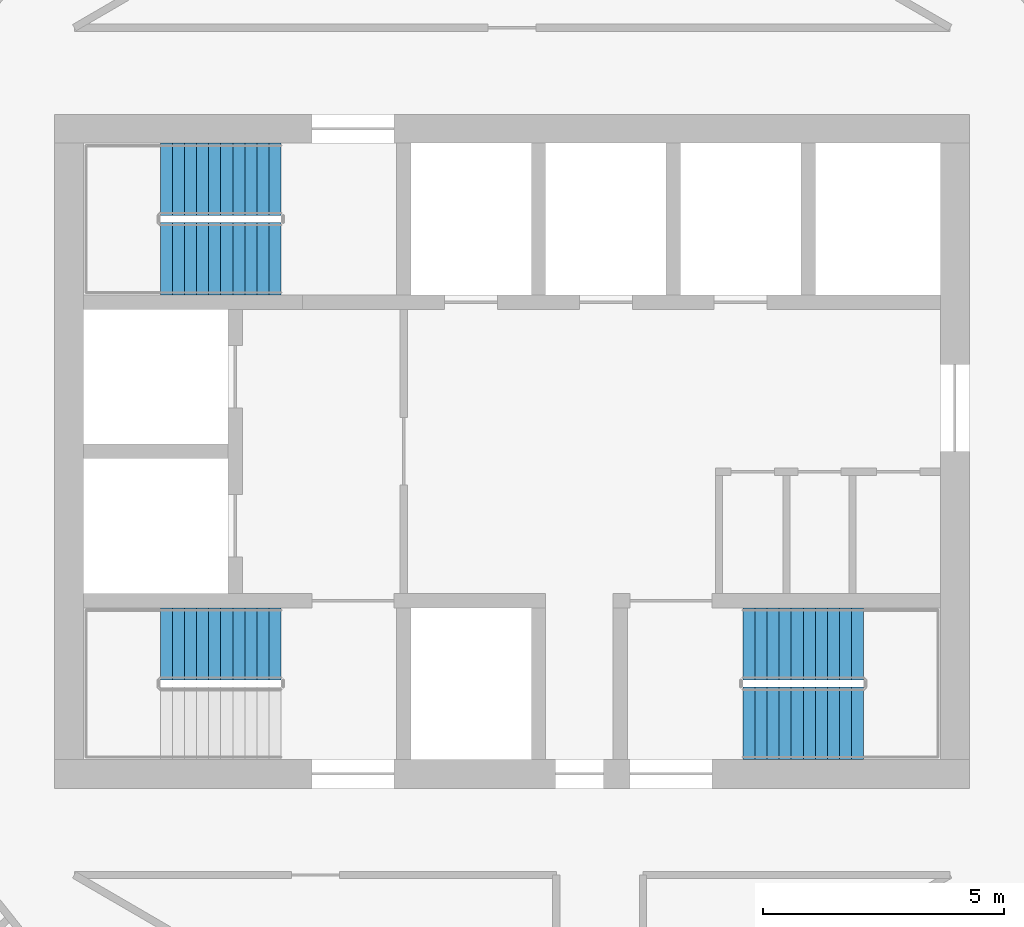
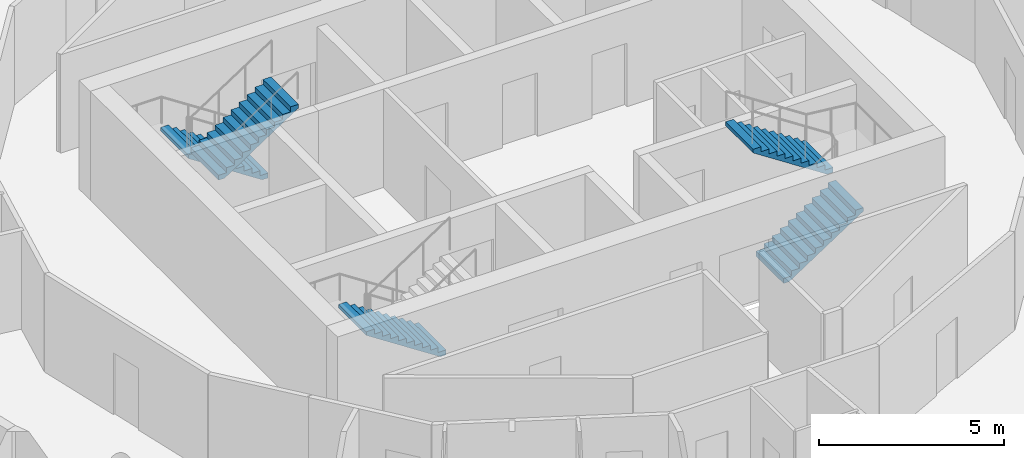
# One storey, part 12 of 13: 5 stair flights, 3 elements without a shape of their own.
"""IFC4 building model written with IfcOpenShell, lengths in metres."""

from ifc_helpers import new_model, si_unit, direction, frame, origin, place, context, subcontext, project, spatial, polyline, outline, extrude, material, type_object, element, aggregate, save


model = new_model("IFC4")

# Units and contexts
model_context = context("Model", 3, precision=1e-05, world=origin(), true_north=direction((0.0, 1.0)))
body_context = subcontext(model_context, "Body", "Model", "MODEL_VIEW")
ifc_project = project(units=[si_unit("LENGTHUNIT", "METRE"), si_unit("AREAUNIT", "SQUARE_METRE"), si_unit("VOLUMEUNIT", "CUBIC_METRE"), si_unit("PLANEANGLEUNIT", "RADIAN"), si_unit("MASSUNIT", "GRAM", prefix="KILO")], contexts=[model_context])

# Site, building, storey
site_placement = place(None, origin())
site = spatial("IfcSite", under=ifc_project, at=site_placement, CompositionType="ELEMENT")
building_placement = place(site_placement, origin())
building = spatial("IfcBuilding", under=site, at=building_placement, Name="Tracery Tower", CompositionType="ELEMENT")
storey_placement = place(building_placement, frame((0.0, 0.0, 298.199951171875)))
storey = spatial("IfcBuildingStorey", under=building, at=storey_placement, Name="L77", CompositionType="ELEMENT", Elevation=298.199951171875)

# Stair, stair flight
ifc_material_1 = material(Name="Concrete C32/40", Category="concrete")
stair_type = type_object("IfcStairType", Name="Core stair 22 risers", PredefinedType="HALF_TURN_STAIR", material=ifc_material_1)
stair_1_placement = place(storey_placement, origin())
stair_1 = element("IfcStair", 1, at=stair_1_placement, inside=storey, type_object=stair_type, Name="L77 stair ST1", PredefinedType="HALF_TURN_STAIR")
ifc_material_2 = material(Name="Concrete C32/40", Category="concrete")
stair_flight_type = type_object("IfcStairFlightType", Name="Core stair flight 11 risers", PredefinedType="STRAIGHT", material=ifc_material_2)
stair_flight_1_placement = place(storey_placement, frame((-4.800048828125, -4.0, 0.0), z_axis=(0.0, 0.0, 1.0), x_axis=(-1.0, 0.0, 0.0)))
stair_flight_1 = element("IfcStairFlight", 2, at=stair_flight_1_placement, type_object=stair_flight_type, Name="ST1 flight 1", NumberOfRisers=11, NumberOfTreads=10, PredefinedType="STRAIGHT", RiserHeight=0.163636364, TreadLength=0.25, context=body_context, shape_type="SweptSolid", body=[
    extrude(outline(polyline([(0.0, 0.0), (0.0, 0.002685546875), (0.0, 0.00537109375), (0.0, 0.008056640625), (0.0, 0.0107421875), (0.0, 0.013427734375), (0.0, 0.01611328125), (0.0, 0.018798828125), (0.0, 0.021484375), (0.0, 0.024169921875), (0.0, 0.02685546875), (0.0, 0.029541015625), (0.0, 0.0322265625), (0.0, 0.034912109375), (0.0, 0.03759765625), (0.0, 0.040283203125), (0.0, 0.04296875), (0.0, 0.045654296875), (0.0, 0.04833984375), (0.0, 0.051025390625), (0.0, 0.0537109375), (0.0, 0.056396484375), (0.0, 0.05908203125), (0.0, 0.061767578125), (0.0, 0.064453125), (0.0, 0.067138671875), (0.0, 0.06982421875), (0.0, 0.072509765625), (0.0, 0.0751953125), (0.0, 0.077880859375), (0.0, 0.08056640625), (0.0, 0.083251953125), (0.0, 0.0859375), (0.0, 0.088623046875), (0.0, 0.09130859375), (0.0, 0.093994140625), (0.0, 0.0966796875), (0.0, 0.099365234375), (0.0, 0.10205078125), (0.0, 0.104736328125), (0.0, 0.107421875), (0.0, 0.10986328125), (0.0, 0.112548828125), (0.0, 0.115234375), (0.0, 0.117919921875), (0.0, 0.12060546875), (0.0, 0.123291015625), (0.0, 0.1259765625), (0.0, 0.128662109375), (0.0, 0.13134765625), (0.0, 0.134033203125), (0.0, 0.13671875), (0.0, 0.139404296875), (0.0, 0.14208984375), (0.0, 0.144775390625), (0.0, 0.1474609375), (0.0, 0.150146484375), (0.0, 0.15283203125), (0.0, 0.155517578125), (0.0, 0.158203125), (0.0, 0.160888671875), (0.0, 0.16357421875), (0.25, 0.16357421875), (0.25, 0.327392578125), (0.5, 0.327392578125), (0.5, 0.490966796875), (0.75, 0.490966796875), (0.75, 0.654541015625), (1.0, 0.654541015625), (1.0, 0.818115234375), (1.25, 0.818115234375), (1.25, 0.98193359375), (1.5, 0.98193359375), (1.5, 1.1455078125), (1.75, 1.1455078125), (1.75, 1.30908203125), (2.0, 1.30908203125), (2.0, 1.47265625), (2.25, 1.47265625), (2.25, 1.636474609375), (2.5, 1.636474609375), (2.5, 1.634521484375), (2.5, 1.63232421875), (2.5, 1.63037109375), (2.5, 1.62841796875), (2.5, 1.62646484375), (2.5, 1.62451171875), (2.5, 1.62255859375), (2.5, 1.62060546875), (2.5, 1.61865234375), (2.5, 1.61669921875), (2.5, 1.61474609375), (2.5, 1.61279296875), (2.5, 1.61083984375), (2.5, 1.60888671875), (2.5, 1.60693359375), (2.5, 1.60498046875), (2.5, 1.60302734375), (2.5, 1.60107421875), (2.5, 1.59912109375), (2.5, 1.59716796875), (2.5, 1.59521484375), (2.5, 1.59326171875), (2.5, 1.59130859375), (2.5, 1.58935546875), (2.5, 1.58740234375), (2.5, 1.58544921875), (2.5, 1.58349609375), (2.5, 1.58154296875), (2.5, 1.57958984375), (2.5, 1.57763671875), (2.5, 1.57568359375), (2.5, 1.573486328125), (2.5, 1.571533203125), (2.5, 1.569580078125), (2.5, 1.567626953125), (2.5, 1.565673828125), (2.5, 1.563720703125), (2.5, 1.561767578125), (2.5, 1.559814453125), (2.5, 1.557861328125), (2.5, 1.555908203125), (2.5, 1.553955078125), (2.5, 1.552001953125), (2.5, 1.550048828125), (2.5, 1.548095703125), (2.5, 1.546142578125), (2.5, 1.544189453125), (2.5, 1.542236328125), (2.5, 1.540283203125), (2.5, 1.538330078125), (2.5, 1.536376953125), (2.5, 1.534423828125), (2.5, 1.532470703125), (2.5, 1.530517578125), (2.5, 1.528564453125), (2.5, 1.526611328125), (2.5, 1.524658203125), (2.5, 1.522705078125), (2.5, 1.520751953125), (2.5, 1.518798828125), (2.5, 1.516845703125), (0.182861328125, 0.0), (0.0, 0.0)])), frame((0.0, 0.75, 0.0), z_axis=(0.0, -1.0, 0.0), x_axis=(1.0, 0.0, 0.0)), (0.0, 0.0, 1.0), 1.5),
])
aggregate(stair_1, [stair_flight_1])

# Stair, stair flights
stair_2_placement = place(storey_placement, origin())
stair_2 = element("IfcStair", 3, at=stair_2_placement, inside=storey, type_object=stair_type, Name="L77 stair ST3", PredefinedType="HALF_TURN_STAIR")
stair_flight_2_placement = place(storey_placement, frame((-4.800048828125, 5.64990234375, 0.0), z_axis=(0.0, 0.0, 1.0), x_axis=(-1.0, 0.0, 0.0)))
stair_flight_2 = element("IfcStairFlight", 4, at=stair_flight_2_placement, type_object=stair_flight_type, Name="ST3 flight 1", NumberOfRisers=11, NumberOfTreads=10, PredefinedType="STRAIGHT", RiserHeight=0.163636364, TreadLength=0.25, context=body_context, shape_type="SweptSolid", body=[
    extrude(outline(polyline([(0.0, 0.0), (0.0, 0.002685546875), (0.0, 0.00537109375), (0.0, 0.008056640625), (0.0, 0.0107421875), (0.0, 0.013427734375), (0.0, 0.01611328125), (0.0, 0.018798828125), (0.0, 0.021484375), (0.0, 0.024169921875), (0.0, 0.02685546875), (0.0, 0.029541015625), (0.0, 0.0322265625), (0.0, 0.034912109375), (0.0, 0.03759765625), (0.0, 0.040283203125), (0.0, 0.04296875), (0.0, 0.045654296875), (0.0, 0.04833984375), (0.0, 0.051025390625), (0.0, 0.0537109375), (0.0, 0.056396484375), (0.0, 0.05908203125), (0.0, 0.061767578125), (0.0, 0.064453125), (0.0, 0.067138671875), (0.0, 0.06982421875), (0.0, 0.072509765625), (0.0, 0.0751953125), (0.0, 0.077880859375), (0.0, 0.08056640625), (0.0, 0.083251953125), (0.0, 0.0859375), (0.0, 0.088623046875), (0.0, 0.09130859375), (0.0, 0.093994140625), (0.0, 0.0966796875), (0.0, 0.099365234375), (0.0, 0.10205078125), (0.0, 0.104736328125), (0.0, 0.107421875), (0.0, 0.10986328125), (0.0, 0.112548828125), (0.0, 0.115234375), (0.0, 0.117919921875), (0.0, 0.12060546875), (0.0, 0.123291015625), (0.0, 0.1259765625), (0.0, 0.128662109375), (0.0, 0.13134765625), (0.0, 0.134033203125), (0.0, 0.13671875), (0.0, 0.139404296875), (0.0, 0.14208984375), (0.0, 0.144775390625), (0.0, 0.1474609375), (0.0, 0.150146484375), (0.0, 0.15283203125), (0.0, 0.155517578125), (0.0, 0.158203125), (0.0, 0.160888671875), (0.0, 0.16357421875), (0.25, 0.16357421875), (0.25, 0.327392578125), (0.5, 0.327392578125), (0.5, 0.490966796875), (0.75, 0.490966796875), (0.75, 0.654541015625), (1.0, 0.654541015625), (1.0, 0.818115234375), (1.25, 0.818115234375), (1.25, 0.98193359375), (1.5, 0.98193359375), (1.5, 1.1455078125), (1.75, 1.1455078125), (1.75, 1.30908203125), (2.0, 1.30908203125), (2.0, 1.47265625), (2.25, 1.47265625), (2.25, 1.636474609375), (2.5, 1.636474609375), (2.5, 1.634521484375), (2.5, 1.63232421875), (2.5, 1.63037109375), (2.5, 1.62841796875), (2.5, 1.62646484375), (2.5, 1.62451171875), (2.5, 1.62255859375), (2.5, 1.62060546875), (2.5, 1.61865234375), (2.5, 1.61669921875), (2.5, 1.61474609375), (2.5, 1.61279296875), (2.5, 1.61083984375), (2.5, 1.60888671875), (2.5, 1.60693359375), (2.5, 1.60498046875), (2.5, 1.60302734375), (2.5, 1.60107421875), (2.5, 1.59912109375), (2.5, 1.59716796875), (2.5, 1.59521484375), (2.5, 1.59326171875), (2.5, 1.59130859375), (2.5, 1.58935546875), (2.5, 1.58740234375), (2.5, 1.58544921875), (2.5, 1.58349609375), (2.5, 1.58154296875), (2.5, 1.57958984375), (2.5, 1.57763671875), (2.5, 1.57568359375), (2.5, 1.573486328125), (2.5, 1.571533203125), (2.5, 1.569580078125), (2.5, 1.567626953125), (2.5, 1.565673828125), (2.5, 1.563720703125), (2.5, 1.561767578125), (2.5, 1.559814453125), (2.5, 1.557861328125), (2.5, 1.555908203125), (2.5, 1.553955078125), (2.5, 1.552001953125), (2.5, 1.550048828125), (2.5, 1.548095703125), (2.5, 1.546142578125), (2.5, 1.544189453125), (2.5, 1.542236328125), (2.5, 1.540283203125), (2.5, 1.538330078125), (2.5, 1.536376953125), (2.5, 1.534423828125), (2.5, 1.532470703125), (2.5, 1.530517578125), (2.5, 1.528564453125), (2.5, 1.526611328125), (2.5, 1.524658203125), (2.5, 1.522705078125), (2.5, 1.520751953125), (2.5, 1.518798828125), (2.5, 1.516845703125), (0.182861328125, 0.0), (0.0, 0.0)])), frame((0.0, 0.75, 0.0), z_axis=(0.0, -1.0, 0.0), x_axis=(1.0, 0.0, 0.0)), (0.0, 0.0, 1.0), 1.5),
])
stair_flight_3_placement = place(storey_placement, frame((-7.300048828125, 4.0, 1.800048828125), z_axis=(0.0, 0.0, 1.0), x_axis=(1.0, 0.0, 0.0)))
stair_flight_3 = element("IfcStairFlight", 5, at=stair_flight_3_placement, type_object=stair_flight_type, Name="ST3 flight 2", NumberOfRisers=11, NumberOfTreads=10, PredefinedType="STRAIGHT", RiserHeight=0.163636364, TreadLength=0.25, context=body_context, shape_type="SweptSolid", body=[
    extrude(outline(polyline([(0.0, 0.0), (0.0, 0.002685546875), (0.0, 0.00537109375), (0.0, 0.008056640625), (0.0, 0.0107421875), (0.0, 0.013427734375), (0.0, 0.01611328125), (0.0, 0.018798828125), (0.0, 0.021484375), (0.0, 0.024169921875), (0.0, 0.02685546875), (0.0, 0.029541015625), (0.0, 0.0322265625), (0.0, 0.034912109375), (0.0, 0.03759765625), (0.0, 0.040283203125), (0.0, 0.04296875), (0.0, 0.045654296875), (0.0, 0.04833984375), (0.0, 0.051025390625), (0.0, 0.0537109375), (0.0, 0.056396484375), (0.0, 0.05908203125), (0.0, 0.061767578125), (0.0, 0.064453125), (0.0, 0.067138671875), (0.0, 0.06982421875), (0.0, 0.072509765625), (0.0, 0.0751953125), (0.0, 0.077880859375), (0.0, 0.08056640625), (0.0, 0.083251953125), (0.0, 0.0859375), (0.0, 0.088623046875), (0.0, 0.09130859375), (0.0, 0.093994140625), (0.0, 0.0966796875), (0.0, 0.099365234375), (0.0, 0.10205078125), (0.0, 0.104736328125), (0.0, 0.107421875), (0.0, 0.10986328125), (0.0, 0.112548828125), (0.0, 0.115234375), (0.0, 0.117919921875), (0.0, 0.12060546875), (0.0, 0.123291015625), (0.0, 0.1259765625), (0.0, 0.128662109375), (0.0, 0.13134765625), (0.0, 0.134033203125), (0.0, 0.13671875), (0.0, 0.139404296875), (0.0, 0.14208984375), (0.0, 0.144775390625), (0.0, 0.1474609375), (0.0, 0.150146484375), (0.0, 0.15283203125), (0.0, 0.155517578125), (0.0, 0.158203125), (0.0, 0.160888671875), (0.0, 0.16357421875), (0.25, 0.16357421875), (0.25, 0.327392578125), (0.5, 0.327392578125), (0.5, 0.490966796875), (0.75, 0.490966796875), (0.75, 0.654541015625), (1.0, 0.654541015625), (1.0, 0.818115234375), (1.25, 0.818115234375), (1.25, 0.98193359375), (1.5, 0.98193359375), (1.5, 1.1455078125), (1.75, 1.1455078125), (1.75, 1.30908203125), (2.0, 1.30908203125), (2.0, 1.47265625), (2.25, 1.47265625), (2.25, 1.636474609375), (2.5, 1.636474609375), (2.5, 1.634521484375), (2.5, 1.63232421875), (2.5, 1.63037109375), (2.5, 1.62841796875), (2.5, 1.62646484375), (2.5, 1.62451171875), (2.5, 1.62255859375), (2.5, 1.62060546875), (2.5, 1.61865234375), (2.5, 1.61669921875), (2.5, 1.61474609375), (2.5, 1.61279296875), (2.5, 1.61083984375), (2.5, 1.60888671875), (2.5, 1.60693359375), (2.5, 1.60498046875), (2.5, 1.60302734375), (2.5, 1.60107421875), (2.5, 1.59912109375), (2.5, 1.59716796875), (2.5, 1.59521484375), (2.5, 1.59326171875), (2.5, 1.59130859375), (2.5, 1.58935546875), (2.5, 1.58740234375), (2.5, 1.58544921875), (2.5, 1.58349609375), (2.5, 1.58154296875), (2.5, 1.57958984375), (2.5, 1.57763671875), (2.5, 1.57568359375), (2.5, 1.573486328125), (2.5, 1.571533203125), (2.5, 1.569580078125), (2.5, 1.567626953125), (2.5, 1.565673828125), (2.5, 1.563720703125), (2.5, 1.561767578125), (2.5, 1.559814453125), (2.5, 1.557861328125), (2.5, 1.555908203125), (2.5, 1.553955078125), (2.5, 1.552001953125), (2.5, 1.550048828125), (2.5, 1.548095703125), (2.5, 1.546142578125), (2.5, 1.544189453125), (2.5, 1.542236328125), (2.5, 1.540283203125), (2.5, 1.538330078125), (2.5, 1.536376953125), (2.5, 1.534423828125), (2.5, 1.532470703125), (2.5, 1.530517578125), (2.5, 1.528564453125), (2.5, 1.526611328125), (2.5, 1.524658203125), (2.5, 1.522705078125), (2.5, 1.520751953125), (2.5, 1.518798828125), (2.5, 1.516845703125), (0.182861328125, 0.0), (0.0, 0.0)])), frame((0.0, 0.75, 0.0), z_axis=(0.0, -1.0, 0.0), x_axis=(1.0, 0.0, 0.0)), (0.0, 0.0, 1.0), 1.5),
])
aggregate(stair_2, [stair_flight_2, stair_flight_3])

stair_3_placement = place(storey_placement, origin())
stair_3 = element("IfcStair", 6, at=stair_3_placement, inside=storey, type_object=stair_type, Name="L77 stair ST2", PredefinedType="HALF_TURN_STAIR")
stair_flight_4_placement = place(storey_placement, frame((4.800048828125, -5.64990234375, 0.0), z_axis=(0.0, 0.0, 1.0), x_axis=(1.0, 0.0, 0.0)))
stair_flight_4 = element("IfcStairFlight", 7, at=stair_flight_4_placement, type_object=stair_flight_type, Name="ST2 flight 1", NumberOfRisers=11, NumberOfTreads=10, PredefinedType="STRAIGHT", RiserHeight=0.163636364, TreadLength=0.25, context=body_context, shape_type="SweptSolid", body=[
    extrude(outline(polyline([(0.0, 0.0), (0.0, 0.002685546875), (0.0, 0.00537109375), (0.0, 0.008056640625), (0.0, 0.0107421875), (0.0, 0.013427734375), (0.0, 0.01611328125), (0.0, 0.018798828125), (0.0, 0.021484375), (0.0, 0.024169921875), (0.0, 0.02685546875), (0.0, 0.029541015625), (0.0, 0.0322265625), (0.0, 0.034912109375), (0.0, 0.03759765625), (0.0, 0.040283203125), (0.0, 0.04296875), (0.0, 0.045654296875), (0.0, 0.04833984375), (0.0, 0.051025390625), (0.0, 0.0537109375), (0.0, 0.056396484375), (0.0, 0.05908203125), (0.0, 0.061767578125), (0.0, 0.064453125), (0.0, 0.067138671875), (0.0, 0.06982421875), (0.0, 0.072509765625), (0.0, 0.0751953125), (0.0, 0.077880859375), (0.0, 0.08056640625), (0.0, 0.083251953125), (0.0, 0.0859375), (0.0, 0.088623046875), (0.0, 0.09130859375), (0.0, 0.093994140625), (0.0, 0.0966796875), (0.0, 0.099365234375), (0.0, 0.10205078125), (0.0, 0.104736328125), (0.0, 0.107421875), (0.0, 0.10986328125), (0.0, 0.112548828125), (0.0, 0.115234375), (0.0, 0.117919921875), (0.0, 0.12060546875), (0.0, 0.123291015625), (0.0, 0.1259765625), (0.0, 0.128662109375), (0.0, 0.13134765625), (0.0, 0.134033203125), (0.0, 0.13671875), (0.0, 0.139404296875), (0.0, 0.14208984375), (0.0, 0.144775390625), (0.0, 0.1474609375), (0.0, 0.150146484375), (0.0, 0.15283203125), (0.0, 0.155517578125), (0.0, 0.158203125), (0.0, 0.160888671875), (0.0, 0.16357421875), (0.25, 0.16357421875), (0.25, 0.327392578125), (0.5, 0.327392578125), (0.5, 0.490966796875), (0.75, 0.490966796875), (0.75, 0.654541015625), (1.0, 0.654541015625), (1.0, 0.818115234375), (1.25, 0.818115234375), (1.25, 0.98193359375), (1.5, 0.98193359375), (1.5, 1.1455078125), (1.75, 1.1455078125), (1.75, 1.30908203125), (2.0, 1.30908203125), (2.0, 1.47265625), (2.25, 1.47265625), (2.25, 1.636474609375), (2.5, 1.636474609375), (2.5, 1.634521484375), (2.5, 1.63232421875), (2.5, 1.63037109375), (2.5, 1.62841796875), (2.5, 1.62646484375), (2.5, 1.62451171875), (2.5, 1.62255859375), (2.5, 1.62060546875), (2.5, 1.61865234375), (2.5, 1.61669921875), (2.5, 1.61474609375), (2.5, 1.61279296875), (2.5, 1.61083984375), (2.5, 1.60888671875), (2.5, 1.60693359375), (2.5, 1.60498046875), (2.5, 1.60302734375), (2.5, 1.60107421875), (2.5, 1.59912109375), (2.5, 1.59716796875), (2.5, 1.59521484375), (2.5, 1.59326171875), (2.5, 1.59130859375), (2.5, 1.58935546875), (2.5, 1.58740234375), (2.5, 1.58544921875), (2.5, 1.58349609375), (2.5, 1.58154296875), (2.5, 1.57958984375), (2.5, 1.57763671875), (2.5, 1.57568359375), (2.5, 1.573486328125), (2.5, 1.571533203125), (2.5, 1.569580078125), (2.5, 1.567626953125), (2.5, 1.565673828125), (2.5, 1.563720703125), (2.5, 1.561767578125), (2.5, 1.559814453125), (2.5, 1.557861328125), (2.5, 1.555908203125), (2.5, 1.553955078125), (2.5, 1.552001953125), (2.5, 1.550048828125), (2.5, 1.548095703125), (2.5, 1.546142578125), (2.5, 1.544189453125), (2.5, 1.542236328125), (2.5, 1.540283203125), (2.5, 1.538330078125), (2.5, 1.536376953125), (2.5, 1.534423828125), (2.5, 1.532470703125), (2.5, 1.530517578125), (2.5, 1.528564453125), (2.5, 1.526611328125), (2.5, 1.524658203125), (2.5, 1.522705078125), (2.5, 1.520751953125), (2.5, 1.518798828125), (2.5, 1.516845703125), (0.182861328125, 0.0), (0.0, 0.0)])), frame((0.0, 0.75, 0.0), z_axis=(0.0, -1.0, 0.0), x_axis=(1.0, 0.0, 0.0)), (0.0, 0.0, 1.0), 1.5),
])
stair_flight_5_placement = place(storey_placement, frame((7.300048828125, -4.0, 1.800048828125), z_axis=(0.0, 0.0, 1.0), x_axis=(-1.0, 0.0, 0.0)))
stair_flight_5 = element("IfcStairFlight", 8, at=stair_flight_5_placement, type_object=stair_flight_type, Name="ST2 flight 2", NumberOfRisers=11, NumberOfTreads=10, PredefinedType="STRAIGHT", RiserHeight=0.163636364, TreadLength=0.25, context=body_context, shape_type="SweptSolid", body=[
    extrude(outline(polyline([(0.0, 0.0), (0.0, 0.002685546875), (0.0, 0.00537109375), (0.0, 0.008056640625), (0.0, 0.0107421875), (0.0, 0.013427734375), (0.0, 0.01611328125), (0.0, 0.018798828125), (0.0, 0.021484375), (0.0, 0.024169921875), (0.0, 0.02685546875), (0.0, 0.029541015625), (0.0, 0.0322265625), (0.0, 0.034912109375), (0.0, 0.03759765625), (0.0, 0.040283203125), (0.0, 0.04296875), (0.0, 0.045654296875), (0.0, 0.04833984375), (0.0, 0.051025390625), (0.0, 0.0537109375), (0.0, 0.056396484375), (0.0, 0.05908203125), (0.0, 0.061767578125), (0.0, 0.064453125), (0.0, 0.067138671875), (0.0, 0.06982421875), (0.0, 0.072509765625), (0.0, 0.0751953125), (0.0, 0.077880859375), (0.0, 0.08056640625), (0.0, 0.083251953125), (0.0, 0.0859375), (0.0, 0.088623046875), (0.0, 0.09130859375), (0.0, 0.093994140625), (0.0, 0.0966796875), (0.0, 0.099365234375), (0.0, 0.10205078125), (0.0, 0.104736328125), (0.0, 0.107421875), (0.0, 0.10986328125), (0.0, 0.112548828125), (0.0, 0.115234375), (0.0, 0.117919921875), (0.0, 0.12060546875), (0.0, 0.123291015625), (0.0, 0.1259765625), (0.0, 0.128662109375), (0.0, 0.13134765625), (0.0, 0.134033203125), (0.0, 0.13671875), (0.0, 0.139404296875), (0.0, 0.14208984375), (0.0, 0.144775390625), (0.0, 0.1474609375), (0.0, 0.150146484375), (0.0, 0.15283203125), (0.0, 0.155517578125), (0.0, 0.158203125), (0.0, 0.160888671875), (0.0, 0.16357421875), (0.25, 0.16357421875), (0.25, 0.327392578125), (0.5, 0.327392578125), (0.5, 0.490966796875), (0.75, 0.490966796875), (0.75, 0.654541015625), (1.0, 0.654541015625), (1.0, 0.818115234375), (1.25, 0.818115234375), (1.25, 0.98193359375), (1.5, 0.98193359375), (1.5, 1.1455078125), (1.75, 1.1455078125), (1.75, 1.30908203125), (2.0, 1.30908203125), (2.0, 1.47265625), (2.25, 1.47265625), (2.25, 1.636474609375), (2.5, 1.636474609375), (2.5, 1.634521484375), (2.5, 1.63232421875), (2.5, 1.63037109375), (2.5, 1.62841796875), (2.5, 1.62646484375), (2.5, 1.62451171875), (2.5, 1.62255859375), (2.5, 1.62060546875), (2.5, 1.61865234375), (2.5, 1.61669921875), (2.5, 1.61474609375), (2.5, 1.61279296875), (2.5, 1.61083984375), (2.5, 1.60888671875), (2.5, 1.60693359375), (2.5, 1.60498046875), (2.5, 1.60302734375), (2.5, 1.60107421875), (2.5, 1.59912109375), (2.5, 1.59716796875), (2.5, 1.59521484375), (2.5, 1.59326171875), (2.5, 1.59130859375), (2.5, 1.58935546875), (2.5, 1.58740234375), (2.5, 1.58544921875), (2.5, 1.58349609375), (2.5, 1.58154296875), (2.5, 1.57958984375), (2.5, 1.57763671875), (2.5, 1.57568359375), (2.5, 1.573486328125), (2.5, 1.571533203125), (2.5, 1.569580078125), (2.5, 1.567626953125), (2.5, 1.565673828125), (2.5, 1.563720703125), (2.5, 1.561767578125), (2.5, 1.559814453125), (2.5, 1.557861328125), (2.5, 1.555908203125), (2.5, 1.553955078125), (2.5, 1.552001953125), (2.5, 1.550048828125), (2.5, 1.548095703125), (2.5, 1.546142578125), (2.5, 1.544189453125), (2.5, 1.542236328125), (2.5, 1.540283203125), (2.5, 1.538330078125), (2.5, 1.536376953125), (2.5, 1.534423828125), (2.5, 1.532470703125), (2.5, 1.530517578125), (2.5, 1.528564453125), (2.5, 1.526611328125), (2.5, 1.524658203125), (2.5, 1.522705078125), (2.5, 1.520751953125), (2.5, 1.518798828125), (2.5, 1.516845703125), (0.182861328125, 0.0), (0.0, 0.0)])), frame((0.0, 0.75, 0.0), z_axis=(0.0, -1.0, 0.0), x_axis=(1.0, 0.0, 0.0)), (0.0, 0.0, 1.0), 1.5),
])
aggregate(stair_3, [stair_flight_4, stair_flight_5])

save(model, "model.ifc")
